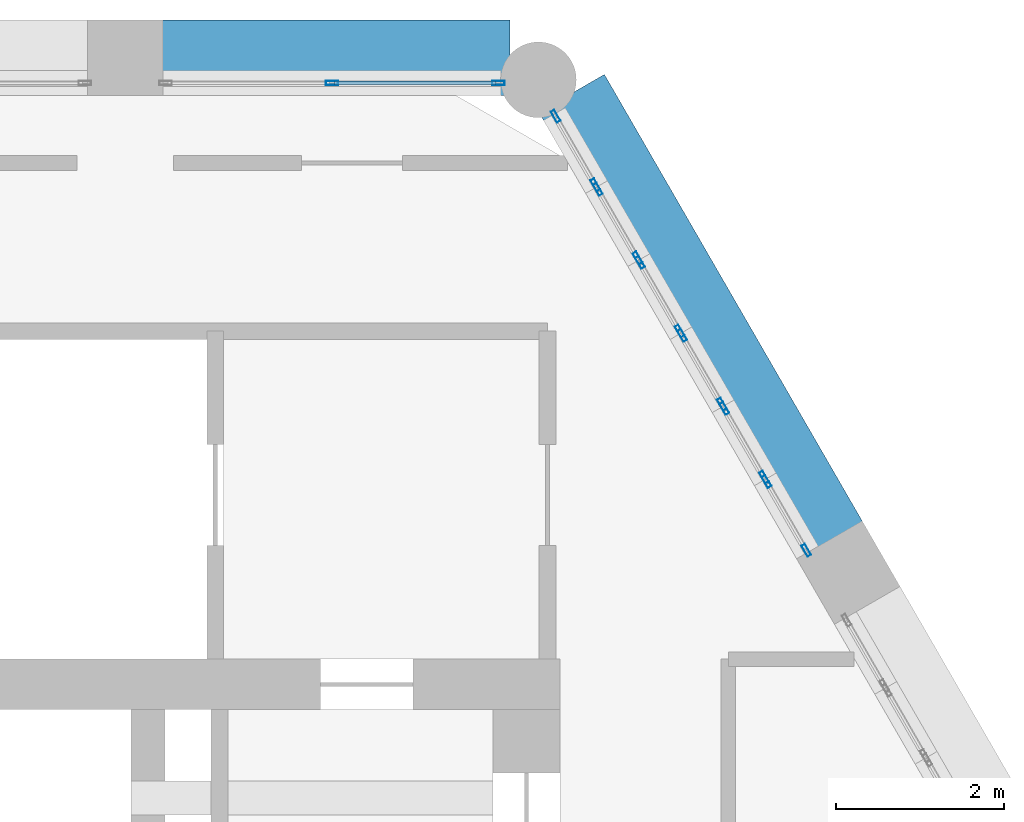
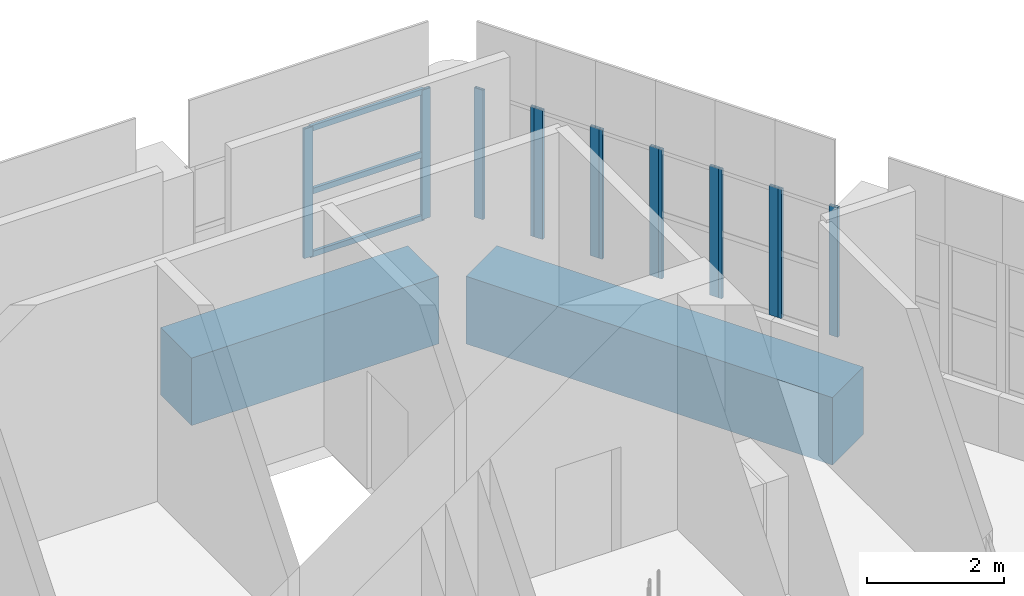
# One storey, part 9 of 20: 17 members, 2 beams, 7 elements without a shape of their own.
"""IFC4 building model written with IfcOpenShell, lengths in metres."""

from ifc_helpers import new_model, si_unit, direction, frame, origin, origin_2d, place, context, subcontext, project, spatial, rectangle, hollow_rectangle, extrude, material, material_profile, profile_set, type_object, element, aggregate, save


model = new_model("IFC4")

# Units and contexts
model_context = context("Model", 3, precision=1e-05, world=origin(), true_north=direction((0.0, 1.0)))
body_context = subcontext(model_context, "Body", "Model", "MODEL_VIEW")
ifc_project = project(units=[si_unit("LENGTHUNIT", "METRE"), si_unit("AREAUNIT", "SQUARE_METRE"), si_unit("VOLUMEUNIT", "CUBIC_METRE"), si_unit("PLANEANGLEUNIT", "RADIAN"), si_unit("MASSUNIT", "GRAM", prefix="KILO")], contexts=[model_context])

# Site, building, storey
site_placement = place(None, origin())
site = spatial("IfcSite", under=ifc_project, at=site_placement, CompositionType="ELEMENT")
building_placement = place(site_placement, origin())
building = spatial("IfcBuilding", under=site, at=building_placement, Name="Ostrander Bayou Hotel Tower", CompositionType="ELEMENT")
storey_placement = place(building_placement, frame((0.0, 0.0, 284.0)))
storey = spatial("IfcBuildingStorey", under=building, at=storey_placement, Name="L70", CompositionType="ELEMENT", Elevation=284.0)

# Curtain wall, members
ifc_material_1 = material(Name="Aluminium and clear glass", Category="aluminium")
curtain_wall_type = type_object("IfcCurtainWallType", Name="CW-CROWN glazed wall", PredefinedType="NOTDEFINED", material=ifc_material_1)
curtain_wall_1_placement = place(storey_placement, origin())
curtain_wall_1 = element("IfcCurtainWall", 1, at=curtain_wall_1_placement, inside=storey, type_object=curtain_wall_type, Name="CW-CROWN L70:N-1", PredefinedType="NOTDEFINED")
ifc_material_2 = material(Name="Aluminium", Category="aluminium")
ifc_material_profile_1 = material_profile(ifc_material_2, hollow_rectangle(XDim=0.050048828125, YDim=0.14990234375, WallThickness=0.00390625, at=origin_2d()))
ifc_profile_set_1 = profile_set([ifc_material_profile_1], Name="Aluminium")
member_type_1 = type_object("IfcMemberType", Name="CW-CR mullion 50 x 150 mm", PredefinedType="MULLION", material=ifc_profile_set_1)
member_1_placement = place(storey_placement, frame((7.765869140625, 16.550048828125, 1.0), z_axis=(0.0, 0.0, 1.0), x_axis=(0.0, -1.0, 0.0)))
member_1 = element("IfcMember", 2, at=member_1_placement, type_object=member_type_1, Name="CW-CROWN mullion 1", PredefinedType="MULLION", context=body_context, shape_type="SweptSolid", body=[
    extrude(hollow_rectangle(XDim=0.050048828125, YDim=0.14990234375, WallThickness=0.00390625, at=origin_2d()), origin(), (0.0, 0.0, 1.0), 2.300048828125),
])
member_2_placement = place(storey_placement, frame((5.78759765625, 16.550048828125, 1.0), z_axis=(0.0, 0.0, 1.0), x_axis=(0.0, -1.0, 0.0)))
member_2 = element("IfcMember", 3, at=member_2_placement, type_object=member_type_1, Name="CW-CROWN mullion 2", PredefinedType="MULLION", context=body_context, shape_type="SweptSolid", body=[
    extrude(hollow_rectangle(XDim=0.050048828125, YDim=0.14990234375, WallThickness=0.00390625, at=origin_2d()), origin(), (0.0, 0.0, 1.0), 2.300048828125),
])

curtain_wall_2_placement = place(storey_placement, origin())
curtain_wall_2 = element("IfcCurtainWall", 4, at=curtain_wall_2_placement, inside=storey, type_object=curtain_wall_type, Name="CW-CROWN L70:NE-3-1", PredefinedType="NOTDEFINED")
member_3_placement = place(storey_placement, frame((11.426513671875, 10.995849609375, 1.0), z_axis=(0.0, 0.0, 1.0), x_axis=(-0.866026229865, -0.499998569184, 0.0)))
member_3 = element("IfcMember", 5, at=member_3_placement, type_object=member_type_1, Name="CW-CROWN mullion 1", PredefinedType="MULLION", context=body_context, shape_type="SweptSolid", body=[
    extrude(hollow_rectangle(XDim=0.050048828125, YDim=0.14990234375, WallThickness=0.00390625, at=origin_2d()), origin(), (0.0, 0.0, 1.0), 2.300048828125),
])
member_4_placement = place(storey_placement, frame((10.954833984375, 11.8125, 1.0), z_axis=(0.0, 0.0, 1.0), x_axis=(-0.866026229865, -0.499998569184, 0.0)))
member_4 = element("IfcMember", 6, at=member_4_placement, type_object=member_type_1, Name="CW-CROWN mullion 2", PredefinedType="MULLION", context=body_context, shape_type="SweptSolid", body=[
    extrude(hollow_rectangle(XDim=0.050048828125, YDim=0.14990234375, WallThickness=0.00390625, at=origin_2d()), origin(), (0.0, 0.0, 1.0), 2.300048828125),
])
aggregate(curtain_wall_2, [member_3, member_4])

curtain_wall_3_placement = place(storey_placement, origin())
curtain_wall_3 = element("IfcCurtainWall", 7, at=curtain_wall_3_placement, inside=storey, type_object=curtain_wall_type, Name="CW-CROWN L70:NE-3-2", PredefinedType="NOTDEFINED")
member_5_placement = place(storey_placement, frame((10.9248046875, 11.864501953125, 1.0), z_axis=(0.0, 0.0, 1.0), x_axis=(-0.866001306597, -0.50004173523, 0.0)))
member_5 = element("IfcMember", 8, at=member_5_placement, type_object=member_type_1, Name="CW-CROWN mullion 1", PredefinedType="MULLION", context=body_context, shape_type="SweptSolid", body=[
    extrude(hollow_rectangle(XDim=0.050048828125, YDim=0.14990234375, WallThickness=0.00390625, at=origin_2d()), origin(), (0.0, 0.0, 1.0), 2.300048828125),
])
member_6_placement = place(storey_placement, frame((10.453369140625, 12.681396484375, 1.0), z_axis=(0.0, 0.0, 1.0), x_axis=(-0.866001306597, -0.50004173523, 0.0)))
member_6 = element("IfcMember", 9, at=member_6_placement, type_object=member_type_1, Name="CW-CROWN mullion 2", PredefinedType="MULLION", context=body_context, shape_type="SweptSolid", body=[
    extrude(hollow_rectangle(XDim=0.050048828125, YDim=0.14990234375, WallThickness=0.00390625, at=origin_2d()), origin(), (0.0, 0.0, 1.0), 2.300048828125),
])
aggregate(curtain_wall_3, [member_5, member_6])

curtain_wall_4_placement = place(storey_placement, origin())
curtain_wall_4 = element("IfcCurtainWall", 10, at=curtain_wall_4_placement, inside=storey, type_object=curtain_wall_type, Name="CW-CROWN L70:NE-3-3", PredefinedType="NOTDEFINED")
member_7_placement = place(storey_placement, frame((10.42333984375, 12.7333984375, 1.0), z_axis=(0.0, 0.0, 1.0), x_axis=(-0.866069391736, -0.499923802893, 0.0)))
member_7 = element("IfcMember", 11, at=member_7_placement, type_object=member_type_1, Name="CW-CROWN mullion 1", PredefinedType="MULLION", context=body_context, shape_type="SweptSolid", body=[
    extrude(hollow_rectangle(XDim=0.050048828125, YDim=0.14990234375, WallThickness=0.00390625, at=origin_2d()), origin(), (0.0, 0.0, 1.0), 2.300048828125),
])
member_8_placement = place(storey_placement, frame((9.951904296875, 13.550048828125, 1.0), z_axis=(0.0, 0.0, 1.0), x_axis=(-0.866069391736, -0.499923802893, 0.0)))
member_8 = element("IfcMember", 12, at=member_8_placement, type_object=member_type_1, Name="CW-CROWN mullion 2", PredefinedType="MULLION", context=body_context, shape_type="SweptSolid", body=[
    extrude(hollow_rectangle(XDim=0.050048828125, YDim=0.14990234375, WallThickness=0.00390625, at=origin_2d()), origin(), (0.0, 0.0, 1.0), 2.300048828125),
])
aggregate(curtain_wall_4, [member_7, member_8])

curtain_wall_5_placement = place(storey_placement, origin())
curtain_wall_5 = element("IfcCurtainWall", 13, at=curtain_wall_5_placement, inside=storey, type_object=curtain_wall_type, Name="CW-CROWN L70:NE-3-4", PredefinedType="NOTDEFINED")
member_9_placement = place(storey_placement, frame((9.921875, 13.60205078125, 1.0), z_axis=(0.0, 0.0, 1.0), x_axis=(-0.866026229865, -0.499998569184, 0.0)))
member_9 = element("IfcMember", 14, at=member_9_placement, type_object=member_type_1, Name="CW-CROWN mullion 1", PredefinedType="MULLION", context=body_context, shape_type="SweptSolid", body=[
    extrude(hollow_rectangle(XDim=0.050048828125, YDim=0.14990234375, WallThickness=0.00390625, at=origin_2d()), origin(), (0.0, 0.0, 1.0), 2.300048828125),
])
member_10_placement = place(storey_placement, frame((9.4501953125, 14.4189453125, 1.0), z_axis=(0.0, 0.0, 1.0), x_axis=(-0.866026229865, -0.499998569184, 0.0)))
member_10 = element("IfcMember", 15, at=member_10_placement, type_object=member_type_1, Name="CW-CROWN mullion 2", PredefinedType="MULLION", context=body_context, shape_type="SweptSolid", body=[
    extrude(hollow_rectangle(XDim=0.050048828125, YDim=0.14990234375, WallThickness=0.00390625, at=origin_2d()), origin(), (0.0, 0.0, 1.0), 2.300048828125),
])
aggregate(curtain_wall_5, [member_9, member_10])

curtain_wall_6_placement = place(storey_placement, origin())
curtain_wall_6 = element("IfcCurtainWall", 16, at=curtain_wall_6_placement, inside=storey, type_object=curtain_wall_type, Name="CW-CROWN L70:NE-3-5", PredefinedType="NOTDEFINED")
member_11_placement = place(storey_placement, frame((9.420166015625, 14.470947265625, 1.0), z_axis=(0.0, 0.0, 1.0), x_axis=(-0.866001306597, -0.50004173523, 0.0)))
member_11 = element("IfcMember", 17, at=member_11_placement, type_object=member_type_1, Name="CW-CROWN mullion 1", PredefinedType="MULLION", context=body_context, shape_type="SweptSolid", body=[
    extrude(hollow_rectangle(XDim=0.050048828125, YDim=0.14990234375, WallThickness=0.00390625, at=origin_2d()), origin(), (0.0, 0.0, 1.0), 2.300048828125),
])
member_12_placement = place(storey_placement, frame((8.948486328125, 15.28759765625, 1.0), z_axis=(0.0, 0.0, 1.0), x_axis=(-0.866001306597, -0.50004173523, 0.0)))
member_12 = element("IfcMember", 18, at=member_12_placement, type_object=member_type_1, Name="CW-CROWN mullion 2", PredefinedType="MULLION", context=body_context, shape_type="SweptSolid", body=[
    extrude(hollow_rectangle(XDim=0.050048828125, YDim=0.14990234375, WallThickness=0.00390625, at=origin_2d()), origin(), (0.0, 0.0, 1.0), 2.300048828125),
])
aggregate(curtain_wall_6, [member_11, member_12])

curtain_wall_7_placement = place(storey_placement, origin())
curtain_wall_7 = element("IfcCurtainWall", 19, at=curtain_wall_7_placement, inside=storey, type_object=curtain_wall_type, Name="CW-CROWN L70:NE-3-6", PredefinedType="NOTDEFINED")
member_13_placement = place(storey_placement, frame((8.918701171875, 15.339599609375, 1.0), z_axis=(0.0, 0.0, 1.0), x_axis=(-0.866026229865, -0.499998569184, 0.0)))
member_13 = element("IfcMember", 20, at=member_13_placement, type_object=member_type_1, Name="CW-CROWN mullion 1", PredefinedType="MULLION", context=body_context, shape_type="SweptSolid", body=[
    extrude(hollow_rectangle(XDim=0.050048828125, YDim=0.14990234375, WallThickness=0.00390625, at=origin_2d()), origin(), (0.0, 0.0, 1.0), 2.300048828125),
])
member_14_placement = place(storey_placement, frame((8.447021484375, 16.156494140625, 1.0), z_axis=(0.0, 0.0, 1.0), x_axis=(-0.866026229865, -0.499998569184, 0.0)))
member_14 = element("IfcMember", 21, at=member_14_placement, type_object=member_type_1, Name="CW-CROWN mullion 2", PredefinedType="MULLION", context=body_context, shape_type="SweptSolid", body=[
    extrude(hollow_rectangle(XDim=0.050048828125, YDim=0.14990234375, WallThickness=0.00390625, at=origin_2d()), origin(), (0.0, 0.0, 1.0), 2.300048828125),
])
aggregate(curtain_wall_7, [member_13, member_14])

# Member
ifc_material_3 = material(Name="Aluminium", Category="aluminium")
ifc_material_profile_2 = material_profile(ifc_material_3, hollow_rectangle(XDim=0.050048828125, YDim=0.10009765625, WallThickness=0.00390625, at=origin_2d()))
ifc_profile_set_2 = profile_set([ifc_material_profile_2], Name="Aluminium")
member_type_2 = type_object("IfcMemberType", Name="CW-CR transom 50 x 100 mm", PredefinedType="USERDEFINED", material=ifc_profile_set_2)
member_15_placement = place(storey_placement, frame((7.73583984375, 16.550048828125, 1.030029296875), z_axis=(-1.0, 0.0, 0.0), x_axis=(0.0, -1.0, 0.0)))
member_15 = element("IfcMember", 22, at=member_15_placement, type_object=member_type_2, Name="CW-CROWN transom 1.1", ObjectType="TRANSOM", PredefinedType="USERDEFINED", context=body_context, shape_type="SweptSolid", body=[
    extrude(hollow_rectangle(XDim=0.050048828125, YDim=0.10009765625, WallThickness=0.00390625, at=origin_2d()), origin(), (0.0, 0.0, 1.0), 1.918212890625),
])

member_16_placement = place(storey_placement, frame((7.73583984375, 16.550048828125, 2.14990234375), z_axis=(-1.0, 0.0, 0.0), x_axis=(0.0, -1.0, 0.0)))
member_16 = element("IfcMember", 23, at=member_16_placement, type_object=member_type_2, Name="CW-CROWN transom 1.2", ObjectType="TRANSOM", PredefinedType="USERDEFINED", context=body_context, shape_type="SweptSolid", body=[
    extrude(hollow_rectangle(XDim=0.050048828125, YDim=0.10009765625, WallThickness=0.00390625, at=origin_2d()), origin(), (0.0, 0.0, 1.0), 1.918212890625),
])

member_17_placement = place(storey_placement, frame((7.73583984375, 16.550048828125, 3.27001953125), z_axis=(-1.0, 0.0, 0.0), x_axis=(0.0, -1.0, 0.0)))
member_17 = element("IfcMember", 24, at=member_17_placement, type_object=member_type_2, Name="CW-CROWN transom 1.3", ObjectType="TRANSOM", PredefinedType="USERDEFINED", context=body_context, shape_type="SweptSolid", body=[
    extrude(hollow_rectangle(XDim=0.050048828125, YDim=0.10009765625, WallThickness=0.00390625, at=origin_2d()), origin(), (0.0, 0.0, 1.0), 1.918212890625),
])

aggregate(curtain_wall_1, [member_1, member_2, member_15, member_16, member_17])

# Beams
ifc_material_4 = material(Name="Concrete f'c 60 MPa", Category="concrete")
ifc_material_profile_3 = material_profile(ifc_material_4, rectangle(XDim=0.89990234375, YDim=1.199951171875, at=origin_2d()))
ifc_profile_set_3 = profile_set([ifc_material_profile_3], Name="Concrete f'c 60 MPa")
beam_type = type_object("IfcBeamType", Name="SP4 spandrel beam 900 x 1200 mm f'c 60 MPa", PredefinedType="SPANDREL", material=ifc_profile_set_3)
beam_1_placement = place(storey_placement, frame((7.90576171875, 16.85009765625, -0.60009765625), z_axis=(-1.0, 0.0, 0.0), x_axis=(0.0, -1.0, 0.0)))
element("IfcBeam", 25, at=beam_1_placement, inside=storey, type_object=beam_type, Name="SP4 L70 N-1", PredefinedType="SPANDREL", context=body_context, shape_type="SweptSolid", body=[
    extrude(rectangle(XDim=0.89990234375, YDim=1.199951171875, at=origin_2d()), origin(), (0.0, 0.0, 1.0), 4.15625),
])
beam_2_placement = place(storey_placement, frame((11.71630859375, 11.09375, -0.60009765625), z_axis=(-0.499984362083, 0.866034432152, 0.0), x_axis=(-0.866034432152, -0.499984362083, 0.0)))
element("IfcBeam", 26, at=beam_2_placement, inside=storey, type_object=beam_type, Name="SP4 L70 NE-3", PredefinedType="SPANDREL", context=body_context, shape_type="SweptSolid", body=[
    extrude(rectangle(XDim=0.89990234375, YDim=1.199951171875, at=origin_2d()), origin(), (0.0, 0.0, 1.0), 6.159423828125),
])

save(model, "model.ifc")
